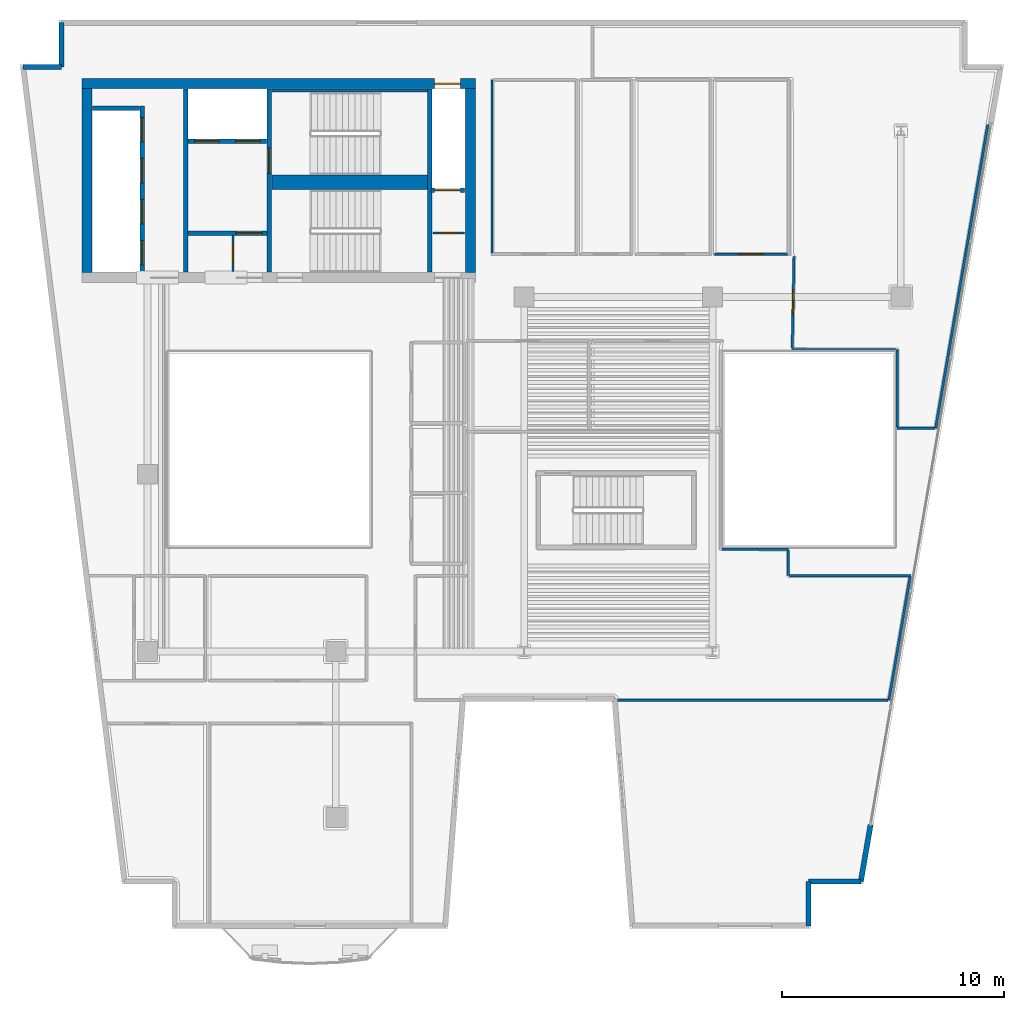
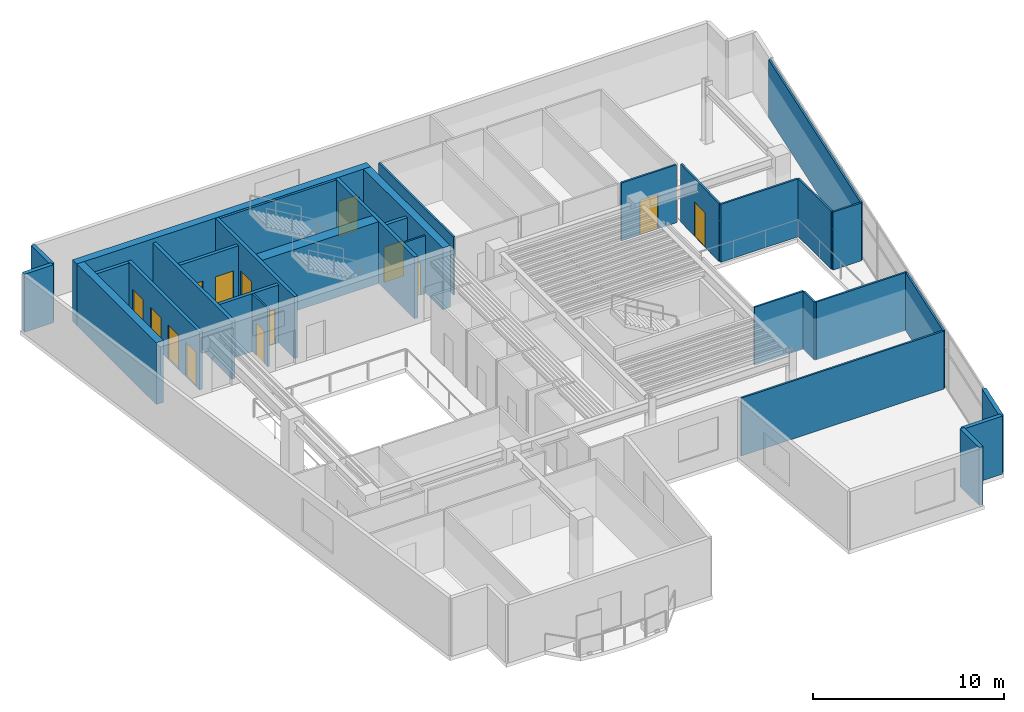
# One storey, part 5 of 9: 32 walls, 14 doors, 14 openings.
"""IFC4 building model written with IfcOpenShell, lengths in metres."""

from ifc_helpers import new_model, si_unit, direction, frame, frame_2d, origin, place, context, subcontext, project, spatial, rectangle, extrude, material, layer, layer_set, type_object, element, fill, save


model = new_model("IFC4")

# Units and contexts
model_context = context("Model", 3, precision=1e-05, world=origin(), true_north=direction((0.0, 1.0)))
body_context = subcontext(model_context, "Body", "Model", "MODEL_VIEW")
ifc_project = project(units=[si_unit("LENGTHUNIT", "METRE"), si_unit("AREAUNIT", "SQUARE_METRE"), si_unit("VOLUMEUNIT", "CUBIC_METRE"), si_unit("PLANEANGLEUNIT", "RADIAN"), si_unit("MASSUNIT", "GRAM", prefix="KILO")], contexts=[model_context])

# Site, building, storey
site_placement = place(None, origin())
site = spatial("IfcSite", under=ifc_project, at=site_placement, CompositionType="ELEMENT")
building_placement = place(site_placement, origin())
building = spatial("IfcBuilding", under=site, at=building_placement, Name="Caeloran Harvest Quay", CompositionType="ELEMENT")
storey_placement = place(building_placement, frame((0.0, 0.0, 207.449951171875)))
storey = spatial("IfcBuildingStorey", under=building, at=storey_placement, Name="L49", CompositionType="ELEMENT", Elevation=207.449951171875)

# Walls
ifc_material_1 = material(Name="Precast concrete C50/60", Category="concrete")
ifc_layer_1 = layer(ifc_material_1, 0.239990234375, Name="Precast concrete C50/60")
ifc_layer_set_1 = layer_set([ifc_layer_1], Name="Precast concrete C50/60")
wall_type_1 = type_object("IfcWallType", Name="ENV-WALL-EW-240", PredefinedType="STANDARD", material=ifc_layer_set_1)
wall_1_placement = place(storey_placement, frame((2.884765625, 41.3798828125, 0.0), z_axis=(0.0, 0.0, 1.0), x_axis=(1.0, 0.0, 0.0)))
element("IfcWall", 1, at=wall_1_placement, inside=storey, type_object=wall_type_1, Name="L49 Exterior Precast Concrete Facade Wall 4", PredefinedType="STANDARD", context=body_context, shape_type="SweptSolid", body=[
    extrude(rectangle(XDim=1.7353515625, YDim=0.239990234375, at=frame_2d((0.86767578125, 0.0))), origin(), (0.0, 0.0, 1.0), 3.699951171875),
])
wall_2_placement = place(storey_placement, frame((4.6201171875, 41.3798828125, 0.0), z_axis=(0.0, 0.0, 1.0), x_axis=(0.0, 1.0, 0.0)))
element("IfcWall", 2, at=wall_2_placement, inside=storey, type_object=wall_type_1, Name="L49 Exterior Precast Concrete Facade Wall 5", PredefinedType="STANDARD", context=body_context, shape_type="SweptSolid", body=[
    extrude(rectangle(XDim=2.0, YDim=0.239990234375, at=frame_2d((1.0, 0.0))), origin(), (0.0, 0.0, 1.0), 3.699951171875),
])
wall_3_placement = place(storey_placement, frame((41.135986328125, 7.182373046875, 0.0), z_axis=(0.0, 0.0, 1.0), x_axis=(-0.169315679152, -0.985561870606, 0.0)))
element("IfcWall", 3, at=wall_3_placement, inside=storey, type_object=wall_type_1, Name="L49 Exterior Facade Corner Pier Wall 9B", PredefinedType="STANDARD", context=body_context, shape_type="SweptSolid", body=[
    extrude(rectangle(XDim=2.599853515625, YDim=0.239990234375, at=frame_2d((1.2998046875, 0.0))), origin(), (0.0, 0.0, 1.0), 3.699951171875),
])
wall_4_placement = place(storey_placement, frame((40.69580078125, 4.6201171875, 0.0), z_axis=(0.0, 0.0, 1.0), x_axis=(-1.0, 0.0, 0.0)))
element("IfcWall", 4, at=wall_4_placement, inside=storey, type_object=wall_type_1, Name="L49 Exterior Precast Concrete Facade Wall 10", PredefinedType="STANDARD", context=body_context, shape_type="SweptSolid", body=[
    extrude(rectangle(XDim=2.36279296875, YDim=0.239990234375, at=frame_2d((1.181396484375, 0.0))), origin(), (0.0, 0.0, 1.0), 3.699951171875),
])
wall_5_placement = place(storey_placement, frame((38.3330078125, 4.6201171875, 0.0), z_axis=(0.0, 0.0, 1.0), x_axis=(0.0, -1.0, 0.0)))
element("IfcWall", 5, at=wall_5_placement, inside=storey, type_object=wall_type_1, Name="L49 Exterior Precast Concrete Facade Wall 11", PredefinedType="STANDARD", context=body_context, shape_type="SweptSolid", body=[
    extrude(rectangle(XDim=2.0, YDim=0.239990234375, at=frame_2d((1.0, 0.0))), origin(), (0.0, 0.0, 1.0), 3.699951171875),
])

# Wall, opening, door
ifc_material_2 = material(Name="Fire-Resisting Gypsum Core Riser Partition", Category="gypsum")
ifc_layer_2 = layer(ifc_material_2, 0.10009765625, Name="Fire-Resisting Gypsum Core Riser Partition")
ifc_layer_set_2 = layer_set([ifc_layer_2], Name="Fire-Resisting Gypsum Core Riser Partition")
wall_type_2 = type_object("IfcWallType", Name="INT-WALL-PW-100", PredefinedType="PARTITIONING", material=ifc_layer_set_2)
wall_6_placement = place(storey_placement, frame((12.360107421875, 32.159912109375, 0.0), z_axis=(0.0, 0.0, 1.0), x_axis=(0.0, 1.0, 0.0)))
wall_6 = element("IfcWall", 6, at=wall_6_placement, inside=storey, type_object=wall_type_2, Name="L49 Core Store Partition Wall", PredefinedType="PARTITIONING", context=body_context, shape_type="SweptSolid", body=[
    extrude(rectangle(XDim=1.6201171875, YDim=0.10009765625, at=frame_2d((0.81005859375, 0.0))), origin(), (0.0, 0.0, 1.0), 3.699951171875),
])
opening_1_placement = place(wall_6_placement, frame((0.3798828125, 0.0, 0.0)))
opening_1 = element("IfcOpeningElement", 7, at=opening_1_placement, cuts=wall_6, Name="Opening SV-01", PredefinedType="OPENING", context=body_context, shape_type="SweptSolid", body=[
    extrude(rectangle(XDim=0.85009765625, YDim=2.10009765625, at=frame_2d((0.425048828125, 1.050048828125))), frame((0.0, 0.06005859375, 0.0), z_axis=(0.0, -1.0, 0.0), x_axis=(1.0, 0.0, 0.0)), (0.0, 0.0, 1.0), 0.1201171875),
])
ifc_material_3 = material(Name="Galvanized Painted Steel", Category="steel")
door_type_1 = type_object("IfcDoorType", Name="INTDOOR-SV-01", OperationType="NOTDEFINED", PredefinedType="DOOR", material=ifc_material_3)
door_1_placement = place(opening_1_placement, origin())
door_1 = element("IfcDoor", 8, at=door_1_placement, inside=storey, type_object=door_type_1, Name="L49 Core Service Room Access Door", OperationType="SINGLE_SWING_LEFT", OverallHeight=2.10009765625, OverallWidth=0.85009765625, PredefinedType="DOOR", context=body_context, shape_type="SweptSolid", body=[
    extrude(rectangle(XDim=0.85009765625, YDim=2.10009765625, at=frame_2d((0.425048828125, 1.050048828125))), frame((0.0, 0.02490234375, 0.0), z_axis=(0.0, -1.0, 0.0), x_axis=(1.0, 0.0, 0.0)), (0.0, 0.0, 1.0), 0.050048828125),
])
fill(opening_1, door_1)

wall_7_placement = place(storey_placement, frame((21.3798828125, 33.889892578125, 0.0), z_axis=(0.0, 0.0, 1.0), x_axis=(1.0, 0.0, 0.0)))
wall_7 = element("IfcWall", 9, at=wall_7_placement, inside=storey, type_object=wall_type_2, Name="L49 Cleaner Store Partition Wall", PredefinedType="PARTITIONING", context=body_context, shape_type="SweptSolid", body=[
    extrude(rectangle(XDim=1.420166015625, YDim=0.10009765625, at=frame_2d((0.7099609375, 0.0))), origin(), (0.0, 0.0, 1.0), 3.699951171875),
])
opening_2_placement = place(wall_7_placement, frame((0.280029296875, 0.0, 0.0)))
opening_2 = element("IfcOpeningElement", 10, at=opening_2_placement, cuts=wall_7, Name="Opening SV-01", PredefinedType="OPENING", context=body_context, shape_type="SweptSolid", body=[
    extrude(rectangle(XDim=0.85009765625, YDim=2.10009765625, at=frame_2d((0.425048828125, 1.050048828125))), frame((0.0, 0.06005859375, 0.0), z_axis=(0.0, -1.0, 0.0), x_axis=(1.0, 0.0, 0.0)), (0.0, 0.0, 1.0), 0.1201171875),
])
door_2_placement = place(opening_2_placement, origin())
door_2 = element("IfcDoor", 11, at=door_2_placement, inside=storey, type_object=door_type_1, Name="L49 Cleaner Supply Store Access Door", OperationType="SINGLE_SWING_RIGHT", OverallHeight=2.10009765625, OverallWidth=0.85009765625, PredefinedType="DOOR", context=body_context, shape_type="SweptSolid", body=[
    extrude(rectangle(XDim=0.85009765625, YDim=2.10009765625, at=frame_2d((0.425048828125, 1.050048828125))), frame((0.0, 0.02490234375, 0.0), z_axis=(0.0, -1.0, 0.0), x_axis=(1.0, 0.0, 0.0)), (0.0, 0.0, 1.0), 0.050048828125),
])
fill(opening_2, door_2)

# Wall
ifc_material_4 = material(Name="Single-Stud Acoustic Gypsum Office Partition", Category="gypsum")
ifc_layer_3 = layer(ifc_material_4, 0.112060546875, Name="Single-Stud Acoustic Gypsum Office Partition")
ifc_layer_set_3 = layer_set([ifc_layer_3], Name="Single-Stud Acoustic Gypsum Office Partition")
wall_type_3 = type_object("IfcWallType", Name="INT-WALL-PW-112", PredefinedType="PARTITIONING", material=ifc_layer_set_3)
wall_8_placement = place(storey_placement, frame((24.050048828125, 32.98095703125, 0.0), z_axis=(0.0, 0.0, 1.0), x_axis=(0.0, 1.0, 0.0)))
element("IfcWall", 12, at=wall_8_placement, inside=storey, type_object=wall_type_3, Name="L49 Crop Phenotyping West Laboratory Partition Wall", PredefinedType="PARTITIONING", context=body_context, shape_type="SweptSolid", body=[
    extrude(rectangle(XDim=7.819091796875, YDim=0.112060546875, at=frame_2d((3.90966796875, 0.0))), origin(), (0.0, 0.0, 1.0), 3.699951171875),
])

# Wall, opening, door
wall_9_placement = place(storey_placement, frame((37.388916015625, 32.919921875, 0.0), z_axis=(0.0, 0.0, 1.0), x_axis=(-1.0, 0.0, 0.0)))
wall_9 = element("IfcWall", 13, at=wall_9_placement, inside=storey, type_object=wall_type_3, Name="L49 Executive Strategy East Office Partition Wall", PredefinedType="PARTITIONING", context=body_context, shape_type="SweptSolid", body=[
    extrude(rectangle(XDim=3.308837890625, YDim=0.112060546875, at=frame_2d((1.654296875, 0.0))), origin(), (0.0, 0.0, 1.0), 3.699951171875),
])
opening_3_placement = place(wall_9_placement, frame((1.1044921875, 0.0, 0.0)))
opening_3 = element("IfcOpeningElement", 14, at=opening_3_placement, cuts=wall_9, Name="Opening ID-04", PredefinedType="OPENING", context=body_context, shape_type="SweptSolid", body=[
    extrude(rectangle(XDim=1.10009765625, YDim=2.199951171875, at=frame_2d((0.550048828125, 1.10009765625))), frame((0.0, 0.06591796875, 0.0), z_axis=(0.0, -1.0, 0.0), x_axis=(1.0, 0.0, 0.0)), (0.0, 0.0, 1.0), 0.132080078125),
])
ifc_material_5 = material(Name="Acoustic Walnut Veneer Executive Door", Category="wood")
door_type_2 = type_object("IfcDoorType", Name="INTDOOR-ID-04", OperationType="NOTDEFINED", PredefinedType="DOOR", material=ifc_material_5)
door_3_placement = place(opening_3_placement, origin())
door_3 = element("IfcDoor", 15, at=door_3_placement, inside=storey, type_object=door_type_2, Name="L49 Executive Strategy East Office Access Door", OperationType="SINGLE_SWING_LEFT", OverallHeight=2.199951171875, OverallWidth=1.10009765625, PredefinedType="DOOR", context=body_context, shape_type="SweptSolid", body=[
    extrude(rectangle(XDim=1.10009765625, YDim=2.199951171875, at=frame_2d((0.550048828125, 1.10009765625))), frame((0.0, 0.02490234375, 0.0), z_axis=(0.0, -1.0, 0.0), x_axis=(1.0, 0.0, 0.0)), (0.0, 0.0, 1.0), 0.050048828125),
])
fill(opening_3, door_3)

# Walls
wall_10_placement = place(storey_placement, frame((34.430908203125, 19.6201171875, 0.0), z_axis=(0.0, 0.0, 1.0), x_axis=(1.0, 0.0, 0.0)))
element("IfcWall", 16, at=wall_10_placement, inside=storey, type_object=wall_type_3, Name="Roundtable Conference Room Partition Wall", PredefinedType="PARTITIONING", context=body_context, shape_type="SweptSolid", body=[
    extrude(rectangle(XDim=2.989013671875, YDim=0.112060546875, at=frame_2d((1.49462890625, 0.0))), origin(), (0.0, 0.0, 1.0), 3.699951171875),
])
wall_11_placement = place(storey_placement, frame((37.419921875, 19.55908203125, 0.0), z_axis=(0.0, 0.0, 1.0), x_axis=(0.0, -1.0, 0.0)))
element("IfcWall", 17, at=wall_11_placement, inside=storey, type_object=wall_type_3, Name="Roundtable Conference Room Partition Wall", PredefinedType="PARTITIONING", context=body_context, shape_type="SweptSolid", body=[
    extrude(rectangle(XDim=1.13916015625, YDim=0.112060546875, at=frame_2d((0.569580078125, 0.0))), origin(), (0.0, 0.0, 1.0), 3.699951171875),
])
wall_12_placement = place(storey_placement, frame((37.48095703125, 18.419921875, 0.0), z_axis=(0.0, 0.0, 1.0), x_axis=(1.0, 0.0, 0.0)))
element("IfcWall", 18, at=wall_12_placement, inside=storey, type_object=wall_type_3, Name="Roundtable Conference Room Partition Wall", PredefinedType="PARTITIONING", context=body_context, shape_type="SweptSolid", body=[
    extrude(rectangle(XDim=5.47998046875, YDim=0.112060546875, at=frame_2d((2.739990234375, 0.0))), origin(), (0.0, 0.0, 1.0), 3.699951171875),
])
wall_13_placement = place(storey_placement, frame((42.91455078125, 18.35888671875, 0.0), z_axis=(0.0, 0.0, 1.0), x_axis=(-0.169247345334, -0.985573607651, 0.0)))
element("IfcWall", 19, at=wall_13_placement, inside=storey, type_object=wall_type_3, Name="Roundtable Conference Room Partition Wall", PredefinedType="PARTITIONING", context=body_context, shape_type="SweptSolid", body=[
    extrude(rectangle(XDim=5.64013671875, YDim=0.112060546875, at=frame_2d((2.820068359375, 0.0))), origin(), (0.0, 0.0, 1.0), 3.699951171875),
])
wall_14_placement = place(storey_placement, frame((41.930419921875, 12.800048828125, 0.0), z_axis=(0.0, 0.0, 1.0), x_axis=(-1.0, 0.0, 0.0)))
element("IfcWall", 20, at=wall_14_placement, inside=storey, type_object=wall_type_3, Name="Roundtable Conference Room Partition Wall", PredefinedType="PARTITIONING", context=body_context, shape_type="SweptSolid", body=[
    extrude(rectangle(XDim=12.21923828125, YDim=0.112060546875, at=frame_2d((6.109619140625, 0.0))), origin(), (0.0, 0.0, 1.0), 3.699951171875),
])
wall_15_placement = place(storey_placement, frame((46.424560546875, 38.777099609375, 0.0), z_axis=(0.0, 0.0, 1.0), x_axis=(-0.169413343695, -0.985545087238, 0.0)))
element("IfcWall", 21, at=wall_15_placement, inside=storey, type_object=wall_type_3, Name="Policy Seminar Meeting Hall 8 Partition Wall", PredefinedType="PARTITIONING", context=body_context, shape_type="SweptSolid", body=[
    extrude(rectangle(XDim=13.89794921875, YDim=0.112060546875, at=frame_2d((6.948974609375, 0.0))), origin(), (0.0, 0.0, 1.0), 3.699951171875),
])
wall_16_placement = place(storey_placement, frame((44.04052734375, 25.080078125, 0.0), z_axis=(0.0, 0.0, 1.0), x_axis=(-1.0, 0.0, 0.0)))
element("IfcWall", 22, at=wall_16_placement, inside=storey, type_object=wall_type_3, Name="Policy Seminar Meeting Hall 8 Partition Wall", PredefinedType="PARTITIONING", context=body_context, shape_type="SweptSolid", body=[
    extrude(rectangle(XDim=1.71044921875, YDim=0.112060546875, at=frame_2d((0.855224609375, 0.0))), origin(), (0.0, 0.0, 1.0), 3.699951171875),
])
wall_17_placement = place(storey_placement, frame((42.330078125, 25.14111328125, 0.0), z_axis=(0.0, 0.0, 1.0), x_axis=(0.0, 1.0, 0.0)))
element("IfcWall", 23, at=wall_17_placement, inside=storey, type_object=wall_type_3, Name="Policy Seminar Meeting Hall 8 Partition Wall", PredefinedType="PARTITIONING", context=body_context, shape_type="SweptSolid", body=[
    extrude(rectangle(XDim=3.48876953125, YDim=0.112060546875, at=frame_2d((1.744384765625, 0.0))), origin(), (0.0, 0.0, 1.0), 3.699951171875),
])
wall_18_placement = place(storey_placement, frame((42.26904296875, 28.6298828125, 0.0), z_axis=(0.0, 0.0, 1.0), x_axis=(-1.0, 0.0, 0.0)))
element("IfcWall", 24, at=wall_18_placement, inside=storey, type_object=wall_type_3, Name="Policy Seminar Meeting Hall 8 Partition Wall", PredefinedType="PARTITIONING", context=body_context, shape_type="SweptSolid", body=[
    extrude(rectangle(XDim=4.671142578125, YDim=0.112060546875, at=frame_2d((2.33544921875, 0.0))), origin(), (0.0, 0.0, 1.0), 3.699951171875),
])

# Wall, opening, door
wall_19_placement = place(storey_placement, frame((37.59912109375, 28.69091796875, 0.0), z_axis=(0.0, 0.0, 1.0), x_axis=(0.019566997539, 0.999808547977, 0.0)))
wall_19 = element("IfcWall", 25, at=wall_19_placement, inside=storey, type_object=wall_type_3, Name="Policy Seminar Meeting Hall 8 Partition Wall", PredefinedType="PARTITIONING", context=body_context, shape_type="SweptSolid", body=[
    extrude(rectangle(XDim=4.1298828125, YDim=0.112060546875, at=frame_2d((2.06494140625, 0.0))), origin(), (0.0, 0.0, 1.0), 3.699951171875),
])
opening_4_placement = place(wall_19_placement, frame((1.514892578125, 0.0, 0.0)))
opening_4 = element("IfcOpeningElement", 26, at=opening_4_placement, cuts=wall_19, Name="Opening ID-04", PredefinedType="OPENING", context=body_context, shape_type="SweptSolid", body=[
    extrude(rectangle(XDim=1.10009765625, YDim=2.199951171875, at=frame_2d((0.550048828125, 1.10009765625))), frame((0.0, 0.06591796875, 0.0), z_axis=(0.0, -1.0, 0.0), x_axis=(1.0, 0.0, 0.0)), (0.0, 0.0, 1.0), 0.132080078125),
])
door_4_placement = place(opening_4_placement, origin())
door_4 = element("IfcDoor", 27, at=door_4_placement, inside=storey, type_object=door_type_2, Name="Policy Seminar Meeting Hall 8 Access Door", OperationType="SINGLE_SWING_RIGHT", OverallHeight=2.199951171875, OverallWidth=1.10009765625, PredefinedType="DOOR", context=body_context, shape_type="SweptSolid", body=[
    extrude(rectangle(XDim=1.10009765625, YDim=2.199951171875, at=frame_2d((0.550048828125, 1.10009765625))), frame((0.0, 0.02490234375, 0.0), z_axis=(0.0, -1.0, 0.0), x_axis=(1.0, 0.0, 0.0)), (0.0, 0.0, 1.0), 0.050048828125),
])
fill(opening_4, door_4)

# Wall, openings, doors
ifc_material_6 = material(Name="Concrete C50/60", Category="concrete")
ifc_layer_4 = layer(ifc_material_6, 0.199951171875, Name="Concrete C50/60")
ifc_layer_set_4 = layer_set([ifc_layer_4], Name="Concrete C50/60")
wall_type_4 = type_object("IfcWallType", Name="INT-WALL-SW-200", PredefinedType="PARTITIONING", material=ifc_layer_set_4)
wall_20_placement = place(storey_placement, frame((8.260009765625, 32.1201171875, 0.0), z_axis=(0.0, 0.0, 1.0), x_axis=(0.0, 1.0, 0.0)))
wall_20 = element("IfcWall", 28, at=wall_20_placement, inside=storey, type_object=wall_type_4, Name="L49 Bank 3 Lift Shaft Wall", PredefinedType="PARTITIONING", context=body_context, shape_type="SweptSolid", body=[
    extrude(rectangle(XDim=7.5, YDim=0.199951171875, at=frame_2d((3.75, 0.0))), origin(), (0.0, 0.0, 1.0), 3.699951171875),
])
opening_5_placement = place(wall_20_placement, frame((0.330078125, 0.0, 0.0)))
opening_5 = element("IfcOpeningElement", 29, at=opening_5_placement, cuts=wall_20, Name="Opening LD-01", PredefinedType="OPENING", context=body_context, shape_type="SweptSolid", body=[
    extrude(rectangle(XDim=1.10009765625, YDim=2.199951171875, at=frame_2d((0.550048828125, 1.10009765625))), frame((0.0, 0.10986328125, 0.0), z_axis=(0.0, -1.0, 0.0), x_axis=(1.0, 0.0, 0.0)), (0.0, 0.0, 1.0), 0.219970703125),
])
opening_6_placement = place(wall_20_placement, frame((2.179931640625, 0.0, 0.0)))
opening_6 = element("IfcOpeningElement", 30, at=opening_6_placement, cuts=wall_20, Name="Opening LD-01", PredefinedType="OPENING", context=body_context, shape_type="SweptSolid", body=[
    extrude(rectangle(XDim=1.10009765625, YDim=2.199951171875, at=frame_2d((0.550048828125, 1.10009765625))), frame((0.0, 0.10986328125, 0.0), z_axis=(0.0, -1.0, 0.0), x_axis=(1.0, 0.0, 0.0)), (0.0, 0.0, 1.0), 0.219970703125),
])
opening_7_placement = place(wall_20_placement, frame((4.030029296875, 0.0, 0.0)))
opening_7 = element("IfcOpeningElement", 31, at=opening_7_placement, cuts=wall_20, Name="Opening LD-01", PredefinedType="OPENING", context=body_context, shape_type="SweptSolid", body=[
    extrude(rectangle(XDim=1.10009765625, YDim=2.199951171875, at=frame_2d((0.550048828125, 1.10009765625))), frame((0.0, 0.10986328125, 0.0), z_axis=(0.0, -1.0, 0.0), x_axis=(1.0, 0.0, 0.0)), (0.0, 0.0, 1.0), 0.219970703125),
])
opening_8_placement = place(wall_20_placement, frame((5.8798828125, 0.0, 0.0)))
opening_8 = element("IfcOpeningElement", 32, at=opening_8_placement, cuts=wall_20, Name="Opening LD-01", PredefinedType="OPENING", context=body_context, shape_type="SweptSolid", body=[
    extrude(rectangle(XDim=1.10009765625, YDim=2.199951171875, at=frame_2d((0.550048828125, 1.10009765625))), frame((0.0, 0.10986328125, 0.0), z_axis=(0.0, -1.0, 0.0), x_axis=(1.0, 0.0, 0.0)), (0.0, 0.0, 1.0), 0.219970703125),
])
ifc_material_7 = material(Name="Stainless Steel Grade 316", Category="steel")
door_type_3 = type_object("IfcDoorType", Name="INTDOOR-LD-01", OperationType="NOTDEFINED", PredefinedType="DOOR", material=ifc_material_7)
door_5_placement = place(opening_5_placement, origin())
door_5 = element("IfcDoor", 33, at=door_5_placement, inside=storey, type_object=door_type_3, Name="Lift P3-1 Sliding Landing Door (L49)", OperationType="DOUBLE_DOOR_SLIDING", OverallHeight=2.199951171875, OverallWidth=1.10009765625, PredefinedType="DOOR", context=body_context, shape_type="SweptSolid", body=[
    extrude(rectangle(XDim=1.10009765625, YDim=2.199951171875, at=frame_2d((0.550048828125, 1.10009765625))), frame((0.0, 0.02490234375, 0.0), z_axis=(0.0, -1.0, 0.0), x_axis=(1.0, 0.0, 0.0)), (0.0, 0.0, 1.0), 0.050048828125),
])
fill(opening_5, door_5)
door_6_placement = place(opening_6_placement, origin())
door_6 = element("IfcDoor", 34, at=door_6_placement, inside=storey, type_object=door_type_3, Name="Lift P3-2 Sliding Landing Door (L49)", OperationType="DOUBLE_DOOR_SLIDING", OverallHeight=2.199951171875, OverallWidth=1.10009765625, PredefinedType="DOOR", context=body_context, shape_type="SweptSolid", body=[
    extrude(rectangle(XDim=1.10009765625, YDim=2.199951171875, at=frame_2d((0.550048828125, 1.10009765625))), frame((0.0, 0.02490234375, 0.0), z_axis=(0.0, -1.0, 0.0), x_axis=(1.0, 0.0, 0.0)), (0.0, 0.0, 1.0), 0.050048828125),
])
fill(opening_6, door_6)
door_7_placement = place(opening_7_placement, origin())
door_7 = element("IfcDoor", 35, at=door_7_placement, inside=storey, type_object=door_type_3, Name="Lift P3-3 Sliding Landing Door (L49)", OperationType="DOUBLE_DOOR_SLIDING", OverallHeight=2.199951171875, OverallWidth=1.10009765625, PredefinedType="DOOR", context=body_context, shape_type="SweptSolid", body=[
    extrude(rectangle(XDim=1.10009765625, YDim=2.199951171875, at=frame_2d((0.550048828125, 1.10009765625))), frame((0.0, 0.02490234375, 0.0), z_axis=(0.0, -1.0, 0.0), x_axis=(1.0, 0.0, 0.0)), (0.0, 0.0, 1.0), 0.050048828125),
])
fill(opening_7, door_7)
door_8_placement = place(opening_8_placement, origin())
door_8 = element("IfcDoor", 36, at=door_8_placement, inside=storey, type_object=door_type_3, Name="Lift P3-4 Sliding Landing Door (L49)", OperationType="DOUBLE_DOOR_SLIDING", OverallHeight=2.199951171875, OverallWidth=1.10009765625, PredefinedType="DOOR", context=body_context, shape_type="SweptSolid", body=[
    extrude(rectangle(XDim=1.10009765625, YDim=2.199951171875, at=frame_2d((0.550048828125, 1.10009765625))), frame((0.0, 0.02490234375, 0.0), z_axis=(0.0, -1.0, 0.0), x_axis=(1.0, 0.0, 0.0)), (0.0, 0.0, 1.0), 0.050048828125),
])
fill(opening_8, door_8)

# Walls
wall_21_placement = place(storey_placement, frame((6.02001953125, 39.52001953125, 0.0), z_axis=(0.0, 0.0, 1.0), x_axis=(1.0, 0.0, 0.0)))
element("IfcWall", 37, at=wall_21_placement, inside=storey, type_object=wall_type_4, Name="L49 Bank 3 Lift Shaft North End Wall", PredefinedType="PARTITIONING", context=body_context, shape_type="SweptSolid", body=[
    extrude(rectangle(XDim=2.119873046875, YDim=0.199951171875, at=frame_2d((1.06005859375, 0.0))), origin(), (0.0, 0.0, 1.0), 3.699951171875),
])
wall_22_placement = place(storey_placement, frame((10.219970703125, 32.1201171875, 0.0), z_axis=(0.0, 0.0, 1.0), x_axis=(0.0, 1.0, 0.0)))
element("IfcWall", 38, at=wall_22_placement, inside=storey, type_object=wall_type_4, Name="L49 Core Lobby Compartment Wall", PredefinedType="PARTITIONING", context=body_context, shape_type="SweptSolid", body=[
    extrude(rectangle(XDim=8.259765625, YDim=0.199951171875, at=frame_2d((4.1298828125, 0.0))), origin(), (0.0, 0.0, 1.0), 3.699951171875),
])

# Wall, openings, doors
wall_23_placement = place(storey_placement, frame((10.340087890625, 38.02001953125, 0.0), z_axis=(0.0, 0.0, 1.0), x_axis=(1.0, 0.0, 0.0)))
wall_23 = element("IfcWall", 39, at=wall_23_placement, inside=storey, type_object=wall_type_4, Name="L49 Firefighting Lift Shaft Wall", PredefinedType="PARTITIONING", context=body_context, shape_type="SweptSolid", body=[
    extrude(rectangle(XDim=3.539794921875, YDim=0.199951171875, at=frame_2d((1.77001953125, 0.0))), origin(), (0.0, 0.0, 1.0), 3.699951171875),
])
opening_9_placement = place(wall_23_placement, frame((0.284912109375, 0.0, 0.0)))
opening_9 = element("IfcOpeningElement", 40, at=opening_9_placement, cuts=wall_23, Name="Opening LD-01", PredefinedType="OPENING", context=body_context, shape_type="SweptSolid", body=[
    extrude(rectangle(XDim=1.10009765625, YDim=2.199951171875, at=frame_2d((0.550048828125, 1.10009765625))), frame((0.0, 0.10986328125, 0.0), z_axis=(0.0, -1.0, 0.0), x_axis=(1.0, 0.0, 0.0)), (0.0, 0.0, 1.0), 0.219970703125),
])
opening_10_placement = place(wall_23_placement, frame((2.135009765625, 0.0, 0.0)))
opening_10 = element("IfcOpeningElement", 41, at=opening_10_placement, cuts=wall_23, Name="Opening LD-01", PredefinedType="OPENING", context=body_context, shape_type="SweptSolid", body=[
    extrude(rectangle(XDim=1.10009765625, YDim=2.199951171875, at=frame_2d((0.550048828125, 1.10009765625))), frame((0.0, 0.10986328125, 0.0), z_axis=(0.0, -1.0, 0.0), x_axis=(1.0, 0.0, 0.0)), (0.0, 0.0, 1.0), 0.219970703125),
])
door_9_placement = place(opening_9_placement, origin())
door_9 = element("IfcDoor", 42, at=door_9_placement, inside=storey, type_object=door_type_3, Name="Lift FF-1 Sliding Landing Door (L49)", OperationType="DOUBLE_DOOR_SLIDING", OverallHeight=2.199951171875, OverallWidth=1.10009765625, PredefinedType="DOOR", context=body_context, shape_type="SweptSolid", body=[
    extrude(rectangle(XDim=1.10009765625, YDim=2.199951171875, at=frame_2d((0.550048828125, 1.10009765625))), frame((0.0, 0.02490234375, 0.0), z_axis=(0.0, -1.0, 0.0), x_axis=(1.0, 0.0, 0.0)), (0.0, 0.0, 1.0), 0.050048828125),
])
fill(opening_9, door_9)
door_10_placement = place(opening_10_placement, origin())
door_10 = element("IfcDoor", 43, at=door_10_placement, inside=storey, type_object=door_type_3, Name="Lift FF-2 Sliding Landing Door (L49)", OperationType="DOUBLE_DOOR_SLIDING", OverallHeight=2.199951171875, OverallWidth=1.10009765625, PredefinedType="DOOR", context=body_context, shape_type="SweptSolid", body=[
    extrude(rectangle(XDim=1.10009765625, YDim=2.199951171875, at=frame_2d((0.550048828125, 1.10009765625))), frame((0.0, 0.02490234375, 0.0), z_axis=(0.0, -1.0, 0.0), x_axis=(1.0, 0.0, 0.0)), (0.0, 0.0, 1.0), 0.050048828125),
])
fill(opening_10, door_10)

# Wall, opening, door
wall_24_placement = place(storey_placement, frame((10.340087890625, 33.8798828125, 0.0), z_axis=(0.0, 0.0, 1.0), x_axis=(1.0, 0.0, 0.0)))
wall_24 = element("IfcWall", 44, at=wall_24_placement, inside=storey, type_object=wall_type_4, Name="L49 Firefighting Lift Lobby Enclosure Wall", PredefinedType="PARTITIONING", context=body_context, shape_type="SweptSolid", body=[
    extrude(rectangle(XDim=3.559814453125, YDim=0.199951171875, at=frame_2d((1.77978515625, 0.0))), origin(), (0.0, 0.0, 1.0), 3.699951171875),
])
opening_11_placement = place(wall_24_placement, frame((2.14990234375, 0.0, 0.0)))
opening_11 = element("IfcOpeningElement", 45, at=opening_11_placement, cuts=wall_24, Name="Opening FD-01", PredefinedType="OPENING", context=body_context, shape_type="SweptSolid", body=[
    extrude(rectangle(XDim=1.199951171875, YDim=2.199951171875, at=frame_2d((0.60009765625, 1.10009765625))), frame((0.0, 0.10986328125, 0.0), z_axis=(0.0, -1.0, 0.0), x_axis=(1.0, 0.0, 0.0)), (0.0, 0.0, 1.0), 0.219970703125),
])
ifc_material_8 = material(Name="Steel", Category="steel")
door_type_4 = type_object("IfcDoorType", Name="INTDOOR-FD-01", OperationType="NOTDEFINED", PredefinedType="DOOR", material=ifc_material_8)
door_11_placement = place(opening_11_placement, origin())
door_11 = element("IfcDoor", 46, at=door_11_placement, inside=storey, type_object=door_type_4, Name="L49 Firefighting Lift Lobby Smoke-Seal Fire Door", OperationType="SINGLE_SWING_RIGHT", OverallHeight=2.199951171875, OverallWidth=1.199951171875, PredefinedType="DOOR", context=body_context, shape_type="SweptSolid", body=[
    extrude(rectangle(XDim=1.199951171875, YDim=2.199951171875, at=frame_2d((0.60009765625, 1.10009765625))), frame((0.0, 0.02490234375, 0.0), z_axis=(0.0, -1.0, 0.0), x_axis=(1.0, 0.0, 0.0)), (0.0, 0.0, 1.0), 0.050048828125),
])
fill(opening_11, door_11)

wall_25_placement = place(storey_placement, frame((21.300048828125, 35.820068359375, 0.0), z_axis=(0.0, 0.0, 1.0), x_axis=(1.0, 0.0, 0.0)))
wall_25 = element("IfcWall", 47, at=wall_25_placement, inside=storey, type_object=wall_type_4, Name="L49 Service Lift SV-2 Shaft Wall", PredefinedType="PARTITIONING", context=body_context, shape_type="SweptSolid", body=[
    extrude(rectangle(XDim=1.5, YDim=0.199951171875, at=frame_2d((0.75, 0.0))), origin(), (0.0, 0.0, 1.0), 3.699951171875),
])
opening_12_placement = place(wall_25_placement, frame((0.14501953125, 0.0, 0.0)))
opening_12 = element("IfcOpeningElement", 48, at=opening_12_placement, cuts=wall_25, Name="Opening LD-02", PredefinedType="OPENING", context=body_context, shape_type="SweptSolid", body=[
    extrude(rectangle(XDim=1.179931640625, YDim=2.25, at=frame_2d((0.58984375, 1.125))), frame((0.0, 0.10986328125, 0.0), z_axis=(0.0, -1.0, 0.0), x_axis=(1.0, 0.0, 0.0)), (0.0, 0.0, 1.0), 0.219970703125),
])
door_type_5 = type_object("IfcDoorType", Name="INTDOOR-LD-02", OperationType="NOTDEFINED", PredefinedType="DOOR", material=ifc_material_7)
door_12_placement = place(opening_12_placement, origin())
door_12 = element("IfcDoor", 49, at=door_12_placement, inside=storey, type_object=door_type_5, Name="Lift SV-2 Sliding Landing Door (L49)", OperationType="DOUBLE_DOOR_SLIDING", OverallHeight=2.25, OverallWidth=1.179931640625, PredefinedType="DOOR", context=body_context, shape_type="SweptSolid", body=[
    extrude(rectangle(XDim=1.179931640625, YDim=2.25, at=frame_2d((0.58984375, 1.125))), frame((0.0, 0.02490234375, 0.0), z_axis=(0.0, -1.0, 0.0), x_axis=(1.0, 0.0, 0.0)), (0.0, 0.0, 1.0), 0.050048828125),
])
fill(opening_12, door_12)

ifc_material_9 = material(Name="Concrete C60/75", Category="concrete")
ifc_layer_5 = layer(ifc_material_9, 0.449951171875, Name="Concrete C60/75")
ifc_layer_set_5 = layer_set([ifc_layer_5], Name="Concrete C60/75")
wall_type_5 = type_object("IfcWallType", Name="STR-WALL-CW-450", PredefinedType="SHEAR", material=ifc_layer_set_5)
wall_26_placement = place(storey_placement, frame((5.550048828125, 40.625, 0.0), z_axis=(0.0, 0.0, 1.0), x_axis=(1.0, 0.0, 0.0)))
wall_26 = element("IfcWall", 50, at=wall_26_placement, inside=storey, type_object=wall_type_5, Name="L49 Rear Core Shear Wall N", PredefinedType="SHEAR", context=body_context, shape_type="SweptSolid", body=[
    extrude(rectangle(XDim=17.75, YDim=0.449951171875, at=frame_2d((8.875, 0.0))), origin(), (0.0, 0.0, 1.0), 3.949951171875),
])
opening_13_placement = place(wall_26_placement, frame((15.89501953125, 0.0, 0.0)))
opening_13 = element("IfcOpeningElement", 51, at=opening_13_placement, cuts=wall_26, Name="Opening LD-02", PredefinedType="OPENING", context=body_context, shape_type="SweptSolid", body=[
    extrude(rectangle(XDim=1.179931640625, YDim=2.25, at=frame_2d((0.58984375, 1.125))), frame((0.0, 0.23486328125, 0.0), z_axis=(0.0, -1.0, 0.0), x_axis=(1.0, 0.0, 0.0)), (0.0, 0.0, 1.0), 0.469970703125),
])
door_13_placement = place(opening_13_placement, origin())
door_13 = element("IfcDoor", 52, at=door_13_placement, inside=storey, type_object=door_type_5, Name="Lift SV-1 Sliding Landing Door (L49)", OperationType="DOUBLE_DOOR_SLIDING", OverallHeight=2.25, OverallWidth=1.179931640625, PredefinedType="DOOR", context=body_context, shape_type="SweptSolid", body=[
    extrude(rectangle(XDim=1.179931640625, YDim=2.25, at=frame_2d((0.58984375, 1.125))), frame((0.0, 0.02490234375, 0.0), z_axis=(0.0, -1.0, 0.0), x_axis=(1.0, 0.0, 0.0)), (0.0, 0.0, 1.0), 0.050048828125),
])
fill(opening_13, door_13)

# Walls
for number, where, z_axis, x_axis, name in (
    (53, (5.77490234375, 32.10009765625, 0.0), (0.0, 0.0, 1.0), (0.0, 1.0, 0.0), "L49 Rear Core Shear Wall W"),
    (54, (23.074951171875, 32.10009765625, 0.0), (0.0, 0.0, 1.0), (0.0, 1.0, 0.0), "L49 Rear Core Shear Wall E"),
):
    element("IfcWall", number, at=place(storey_placement, frame(where, z_axis=z_axis, x_axis=x_axis)), inside=storey, type_object=wall_type_5, Name=name, PredefinedType="SHEAR", context=body_context, shape_type="SweptSolid", body=[
        extrude(rectangle(XDim=8.2998046875, YDim=0.449951171875, at=frame_2d((4.14990234375, 0.0))), origin(), (0.0, 0.0, 1.0), 3.949951171875),
    ])
ifc_layer_6 = layer(ifc_material_9, 0.64990234375, Name="Concrete C60/75")
ifc_layer_set_6 = layer_set([ifc_layer_6], Name="Concrete C60/75")
wall_type_6 = type_object("IfcWallType", Name="STR-WALL-CW-650", PredefinedType="SHEAR", material=ifc_layer_set_6)
wall_27_placement = place(storey_placement, frame((14.1201171875, 36.175048828125, 0.0), z_axis=(0.0, 0.0, 1.0), x_axis=(1.0, 0.0, 0.0)))
element("IfcWall", 55, at=wall_27_placement, inside=storey, type_object=wall_type_6, Name="L49 Core Stairs Dividing Shear Wall", PredefinedType="SHEAR", context=body_context, shape_type="SweptSolid", body=[
    extrude(rectangle(XDim=7.009765625, YDim=0.64990234375, at=frame_2d((3.5048828125, 0.0))), origin(), (0.0, 0.0, 1.0), 3.949951171875),
])
ifc_layer_7 = layer(ifc_material_9, 0.139892578125, Name="Concrete C60/75")
ifc_layer_set_7 = layer_set([ifc_layer_7], Name="Concrete C60/75")
wall_type_7 = type_object("IfcWallType", Name="STR-WALL-SW-140", PredefinedType="SHEAR", material=ifc_layer_set_7)
wall_28_placement = place(storey_placement, frame((14.1201171875, 40.320068359375, 0.0), z_axis=(0.0, 0.0, 1.0), x_axis=(1.0, 0.0, 0.0)))
element("IfcWall", 56, at=wall_28_placement, inside=storey, type_object=wall_type_7, Name="L49 Core Stair ST-C1 North Bearing Shear Wall", PredefinedType="SHEAR", context=body_context, shape_type="SweptSolid", body=[
    extrude(rectangle(XDim=7.009765625, YDim=0.139892578125, at=frame_2d((3.5048828125, 0.0))), origin(), (0.0, 0.0, 1.0), 3.949951171875),
])

# Wall, opening, door
ifc_layer_8 = layer(ifc_material_9, 0.199951171875, Name="Concrete C60/75")
ifc_layer_set_8 = layer_set([ifc_layer_8], Name="Concrete C60/75")
wall_type_8 = type_object("IfcWallType", Name="STR-WALL-SW-200", PredefinedType="SHEAR", material=ifc_layer_set_8)
wall_29_placement = place(storey_placement, frame((14.0, 32.1201171875, 0.0), z_axis=(0.0, 0.0, 1.0), x_axis=(0.0, 1.0, 0.0)))
wall_29 = element("IfcWall", 57, at=wall_29_placement, inside=storey, type_object=wall_type_8, Name="L49 Core Stair Shaft West Shear Wall", PredefinedType="SHEAR", context=body_context, shape_type="SweptSolid", body=[
    extrude(rectangle(XDim=8.259765625, YDim=0.199951171875, at=frame_2d((4.1298828125, 0.0))), origin(), (0.0, 0.0, 1.0), 3.949951171875),
])
opening_14_placement = place(wall_29_placement, frame((4.4599609375, 0.0, 0.0)))
opening_14 = element("IfcOpeningElement", 58, at=opening_14_placement, cuts=wall_29, Name="Opening SD-01", PredefinedType="OPENING", context=body_context, shape_type="SweptSolid", body=[
    extrude(rectangle(XDim=1.14990234375, YDim=2.199951171875, at=frame_2d((0.574951171875, 1.10009765625))), frame((0.0, 0.10986328125, 0.0), z_axis=(0.0, -1.0, 0.0), x_axis=(1.0, 0.0, 0.0)), (0.0, 0.0, 1.0), 0.219970703125),
])
door_type_6 = type_object("IfcDoorType", Name="INTDOOR-SD-01", OperationType="NOTDEFINED", PredefinedType="DOOR", material=ifc_material_8)
door_14_placement = place(opening_14_placement, origin())
door_14 = element("IfcDoor", 59, at=door_14_placement, inside=storey, type_object=door_type_6, Name="L49 Protected Stair ST-C1 Exit Door", OperationType="SINGLE_SWING_LEFT", OverallHeight=2.199951171875, OverallWidth=1.14990234375, PredefinedType="DOOR", context=body_context, shape_type="SweptSolid", body=[
    extrude(rectangle(XDim=1.14990234375, YDim=2.199951171875, at=frame_2d((0.574951171875, 1.10009765625))), frame((0.0, 0.02490234375, 0.0), z_axis=(0.0, -1.0, 0.0), x_axis=(1.0, 0.0, 0.0)), (0.0, 0.0, 1.0), 0.050048828125),
])
fill(opening_14, door_14)

# Wall
wall_30_placement = place(storey_placement, frame((21.25, 32.1201171875, 0.0), z_axis=(0.0, 0.0, 1.0), x_axis=(0.0, 1.0, 0.0)))
element("IfcWall", 60, at=wall_30_placement, inside=storey, type_object=wall_type_8, Name="L49 Core Stair Shaft East Shear Wall", PredefinedType="SHEAR", context=body_context, shape_type="SweptSolid", body=[
    extrude(rectangle(XDim=8.259765625, YDim=0.199951171875, at=frame_2d((4.1298828125, 0.0))), origin(), (0.0, 0.0, 1.0), 3.949951171875),
])

save(model, "model.ifc")
